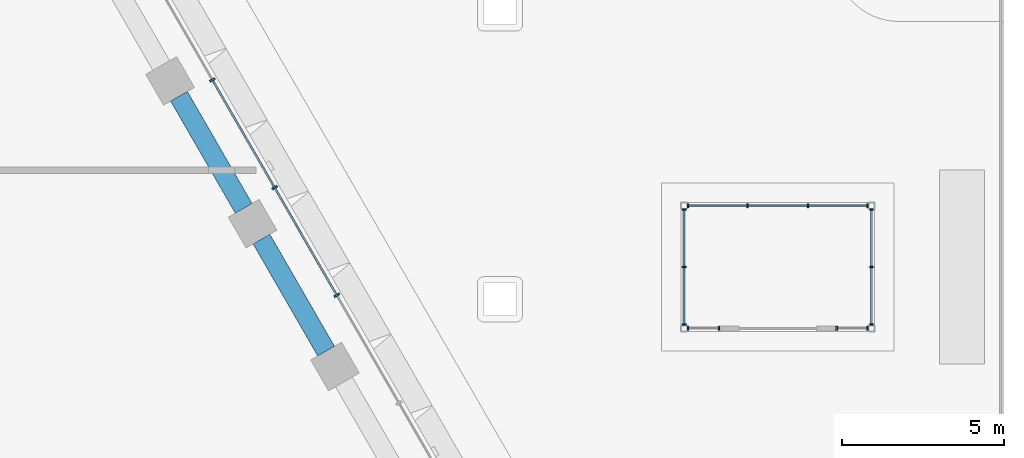
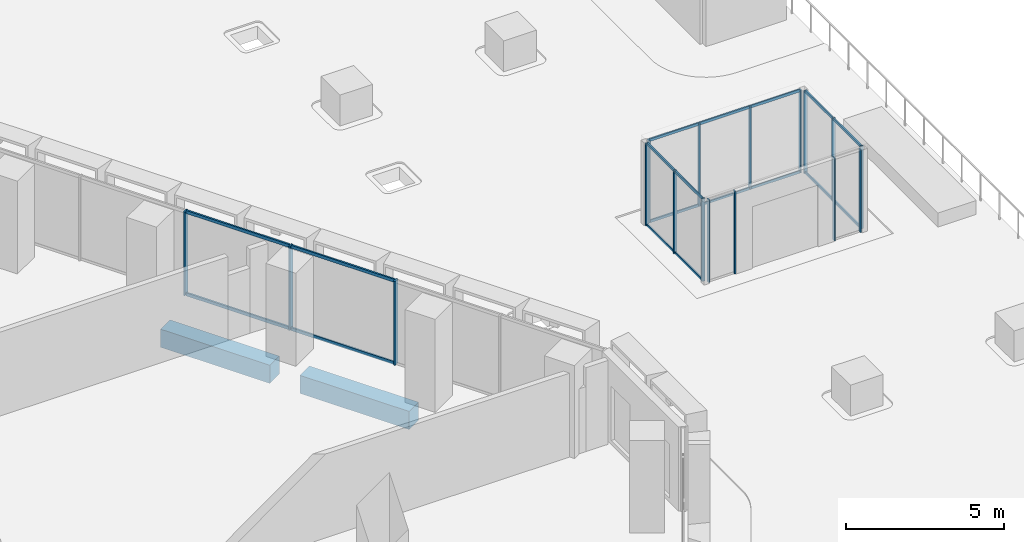
# One storey, part 12 of 38: 35 members, 2 beams, 6 elements without a shape of their own.
"""IFC4 building model written with IfcOpenShell, lengths in metres."""

from ifc_helpers import new_model, si_unit, direction, frame, origin, origin_2d, place, context, subcontext, project, spatial, rectangle, hollow_rectangle, extrude, material, material_profile, profile_set, type_object, element, aggregate, save


model = new_model("IFC4")

# Units and contexts
model_context = context("Model", 3, precision=1e-05, world=origin(), true_north=direction((0.0, 1.0)))
body_context = subcontext(model_context, "Body", "Model", "MODEL_VIEW")
ifc_project = project(units=[si_unit("LENGTHUNIT", "METRE"), si_unit("AREAUNIT", "SQUARE_METRE"), si_unit("VOLUMEUNIT", "CUBIC_METRE"), si_unit("PLANEANGLEUNIT", "RADIAN"), si_unit("MASSUNIT", "GRAM", prefix="KILO")], contexts=[model_context])

# Site, building, storey
site_placement = place(None, origin())
site = spatial("IfcSite", under=ifc_project, at=site_placement, CompositionType="ELEMENT")
building_placement = place(site_placement, origin())
building = spatial("IfcBuilding", under=site, at=building_placement, Name="Beryl Residences", CompositionType="ELEMENT")
storey_placement = place(building_placement, frame((0.0, 0.0, 9.0)))
storey = spatial("IfcBuildingStorey", under=building, at=storey_placement, Name="L02", CompositionType="ELEMENT", Elevation=9.0)

# Curtain wall, members
ifc_material_1 = material(Name="Aluminium and clear glass", Category="aluminium")
curtain_wall_type_1 = type_object("IfcCurtainWallType", Name="CW2 amenity glazing glazed wall", PredefinedType="NOTDEFINED", material=ifc_material_1)
curtain_wall_1_placement = place(storey_placement, origin())
curtain_wall_1 = element("IfcCurtainWall", 1, at=curtain_wall_1_placement, inside=storey, type_object=curtain_wall_type_1, Name="CW2 L02 NE", PredefinedType="NOTDEFINED")
ifc_material_2 = material(Name="Aluminium", Category="aluminium")
ifc_material_profile_1 = material_profile(ifc_material_2, rectangle(XDim=0.06005859375, YDim=0.179931640625, at=origin_2d()))
ifc_profile_set_1 = profile_set([ifc_material_profile_1], Name="Aluminium")
member_type_1 = type_object("IfcMemberType", Name="CW2-M mullion 60 x 180 mm", PredefinedType="MULLION", material=ifc_profile_set_1)
member_1_placement = place(storey_placement, frame((27.351318359375, 9.125732421875, 0.0), z_axis=(0.0, 0.0, 1.0), x_axis=(-0.500011643322, 0.866018681405, 0.0)))
member_1 = element("IfcMember", 2, at=member_1_placement, type_object=member_type_1, Name="CW2 mullion 3", PredefinedType="MULLION", context=body_context, shape_type="SweptSolid", body=[
    extrude(rectangle(XDim=0.06005859375, YDim=0.179931640625, at=origin_2d()), origin(), (0.0, 0.0, 1.0), 3.25),
])
member_2_placement = place(storey_placement, frame((25.42724609375, 12.45849609375, 0.0), z_axis=(0.0, 0.0, 1.0), x_axis=(-0.500011643322, 0.866018681405, 0.0)))
member_2 = element("IfcMember", 3, at=member_2_placement, type_object=member_type_1, Name="CW2 mullion 4", PredefinedType="MULLION", context=body_context, shape_type="SweptSolid", body=[
    extrude(rectangle(XDim=0.06005859375, YDim=0.179931640625, at=origin_2d()), origin(), (0.0, 0.0, 1.0), 3.25),
])
member_3_placement = place(storey_placement, frame((23.5029296875, 15.79150390625, 0.0), z_axis=(0.0, 0.0, 1.0), x_axis=(-0.500011643322, 0.866018681405, 0.0)))
member_3 = element("IfcMember", 4, at=member_3_placement, type_object=member_type_1, Name="CW2 mullion 5", PredefinedType="MULLION", context=body_context, shape_type="SweptSolid", body=[
    extrude(rectangle(XDim=0.06005859375, YDim=0.179931640625, at=origin_2d()), origin(), (0.0, 0.0, 1.0), 3.25),
])
ifc_material_3 = material(Name="Aluminium", Category="aluminium")
ifc_material_profile_2 = material_profile(ifc_material_3, hollow_rectangle(XDim=0.06005859375, YDim=0.1201171875, WallThickness=0.00390625, at=origin_2d()))
ifc_profile_set_2 = profile_set([ifc_material_profile_2], Name="Aluminium")
member_type_2 = type_object("IfcMemberType", Name="CW2-T transom 60 x 120 mm", PredefinedType="USERDEFINED", material=ifc_profile_set_2)
member_4_placement = place(storey_placement, frame((27.33642578125, 9.151611328125, 0.030029296875), z_axis=(-0.499999503755, 0.866025690291, 0.0), x_axis=(-0.866025690291, -0.499999503755, 0.0)))
member_4 = element("IfcMember", 5, at=member_4_placement, type_object=member_type_2, Name="CW2 transom 3.1", ObjectType="TRANSOM", PredefinedType="USERDEFINED", context=body_context, shape_type="SweptSolid", body=[
    extrude(hollow_rectangle(XDim=0.06005859375, YDim=0.1201171875, WallThickness=0.00390625, at=origin_2d()), origin(), (0.0, 0.0, 1.0), 3.78857421875),
])
member_5_placement = place(storey_placement, frame((27.33642578125, 9.151611328125, 3.219970703125), z_axis=(-0.499999503755, 0.866025690291, 0.0), x_axis=(-0.866025690291, -0.499999503755, 0.0)))
member_5 = element("IfcMember", 6, at=member_5_placement, type_object=member_type_2, Name="CW2 transom 3.2", ObjectType="TRANSOM", PredefinedType="USERDEFINED", context=body_context, shape_type="SweptSolid", body=[
    extrude(hollow_rectangle(XDim=0.06005859375, YDim=0.1201171875, WallThickness=0.00390625, at=origin_2d()), origin(), (0.0, 0.0, 1.0), 3.78857421875),
])
member_6_placement = place(storey_placement, frame((25.412109375, 12.484619140625, 0.030029296875), z_axis=(-0.500027408906, 0.866009578667, 0.0), x_axis=(-0.866009578667, -0.500027408906, 0.0)))
member_6 = element("IfcMember", 7, at=member_6_placement, type_object=member_type_2, Name="CW2 transom 4.1", ObjectType="TRANSOM", PredefinedType="USERDEFINED", context=body_context, shape_type="SweptSolid", body=[
    extrude(hollow_rectangle(XDim=0.06005859375, YDim=0.1201171875, WallThickness=0.00390625, at=origin_2d()), origin(), (0.0, 0.0, 1.0), 3.788330078125),
])
member_7_placement = place(storey_placement, frame((25.412109375, 12.484619140625, 3.219970703125), z_axis=(-0.500027408906, 0.866009578667, 0.0), x_axis=(-0.866009578667, -0.500027408906, 0.0)))
member_7 = element("IfcMember", 8, at=member_7_placement, type_object=member_type_2, Name="CW2 transom 4.2", ObjectType="TRANSOM", PredefinedType="USERDEFINED", context=body_context, shape_type="SweptSolid", body=[
    extrude(hollow_rectangle(XDim=0.06005859375, YDim=0.1201171875, WallThickness=0.00390625, at=origin_2d()), origin(), (0.0, 0.0, 1.0), 3.788330078125),
])
aggregate(curtain_wall_1, [member_1, member_2, member_3, member_4, member_5, member_6, member_7])

ifc_material_4 = material(Name="Aluminium and clear glass", Category="aluminium")
curtain_wall_type_2 = type_object("IfcCurtainWallType", Name="CW6 garden pavilion glazing glazed wall", PredefinedType="NOTDEFINED", material=ifc_material_4)
curtain_wall_2_placement = place(storey_placement, origin())
curtain_wall_2 = element("IfcCurtainWall", 9, at=curtain_wall_2_placement, inside=storey, type_object=curtain_wall_type_2, Name="CW6 pavilion 2 s0", PredefinedType="NOTDEFINED")
ifc_material_5 = material(Name="Aluminium", Category="aluminium")
ifc_material_profile_3 = material_profile(ifc_material_5, rectangle(XDim=0.050048828125, YDim=0.1201171875, at=origin_2d()))
ifc_profile_set_3 = profile_set([ifc_material_profile_3], Name="Aluminium")
member_type_3 = type_object("IfcMemberType", Name="CW6-M mullion 50 x 120 mm", PredefinedType="MULLION", material=ifc_profile_set_3)
member_8_placement = place(storey_placement, frame((38.22509765625, 8.10009765625, 0.0), z_axis=(0.0, 0.0, 1.0), x_axis=(1.0, 0.0, 0.0)))
member_8 = element("IfcMember", 10, at=member_8_placement, type_object=member_type_3, Name="CW6 mullion 1", PredefinedType="MULLION", context=body_context, shape_type="SweptSolid", body=[
    extrude(rectangle(XDim=0.050048828125, YDim=0.1201171875, at=origin_2d()), origin(), (0.0, 0.0, 1.0), 3.199951171875),
])
member_9_placement = place(storey_placement, frame((39.175048828125, 8.10009765625, 0.0), z_axis=(0.0, 0.0, 1.0), x_axis=(1.0, 0.0, 0.0)))
member_9 = element("IfcMember", 11, at=member_9_placement, type_object=member_type_3, Name="CW6 mullion 2", PredefinedType="MULLION", context=body_context, shape_type="SweptSolid", body=[
    extrude(rectangle(XDim=0.050048828125, YDim=0.1201171875, at=origin_2d()), origin(), (0.0, 0.0, 1.0), 3.199951171875),
])
aggregate(curtain_wall_2, [member_8, member_9])

curtain_wall_3_placement = place(storey_placement, origin())
curtain_wall_3 = element("IfcCurtainWall", 12, at=curtain_wall_3_placement, inside=storey, type_object=curtain_wall_type_2, Name="CW6 pavilion 2 s2", PredefinedType="NOTDEFINED")
member_10_placement = place(storey_placement, frame((42.824951171875, 8.10009765625, 0.0), z_axis=(0.0, 0.0, 1.0), x_axis=(1.0, 0.0, 0.0)))
member_10 = element("IfcMember", 13, at=member_10_placement, type_object=member_type_3, Name="CW6 mullion 1", PredefinedType="MULLION", context=body_context, shape_type="SweptSolid", body=[
    extrude(rectangle(XDim=0.050048828125, YDim=0.1201171875, at=origin_2d()), origin(), (0.0, 0.0, 1.0), 3.199951171875),
])
member_11_placement = place(storey_placement, frame((43.77490234375, 8.10009765625, 0.0), z_axis=(0.0, 0.0, 1.0), x_axis=(1.0, 0.0, 0.0)))
member_11 = element("IfcMember", 14, at=member_11_placement, type_object=member_type_3, Name="CW6 mullion 2", PredefinedType="MULLION", context=body_context, shape_type="SweptSolid", body=[
    extrude(rectangle(XDim=0.050048828125, YDim=0.1201171875, at=origin_2d()), origin(), (0.0, 0.0, 1.0), 3.199951171875),
])
aggregate(curtain_wall_3, [member_10, member_11])

curtain_wall_4_placement = place(storey_placement, origin())
curtain_wall_4 = element("IfcCurtainWall", 15, at=curtain_wall_4_placement, inside=storey, type_object=curtain_wall_type_2, Name="CW6 pavilion 2 e", PredefinedType="NOTDEFINED")
member_12_placement = place(storey_placement, frame((43.89990234375, 8.22509765625, 0.0), z_axis=(0.0, 0.0, 1.0), x_axis=(0.0, 1.0, 0.0)))
member_12 = element("IfcMember", 16, at=member_12_placement, type_object=member_type_3, Name="CW6 mullion 1", PredefinedType="MULLION", context=body_context, shape_type="SweptSolid", body=[
    extrude(rectangle(XDim=0.050048828125, YDim=0.1201171875, at=origin_2d()), origin(), (0.0, 0.0, 1.0), 3.199951171875),
])
member_13_placement = place(storey_placement, frame((43.89990234375, 10.0, 0.0), z_axis=(0.0, 0.0, 1.0), x_axis=(0.0, 1.0, 0.0)))
member_13 = element("IfcMember", 17, at=member_13_placement, type_object=member_type_3, Name="CW6 mullion 2", PredefinedType="MULLION", context=body_context, shape_type="SweptSolid", body=[
    extrude(rectangle(XDim=0.050048828125, YDim=0.1201171875, at=origin_2d()), origin(), (0.0, 0.0, 1.0), 3.199951171875),
])
member_14_placement = place(storey_placement, frame((43.89990234375, 11.77490234375, 0.0), z_axis=(0.0, 0.0, 1.0), x_axis=(0.0, 1.0, 0.0)))
member_14 = element("IfcMember", 18, at=member_14_placement, type_object=member_type_3, Name="CW6 mullion 3", PredefinedType="MULLION", context=body_context, shape_type="SweptSolid", body=[
    extrude(rectangle(XDim=0.050048828125, YDim=0.1201171875, at=origin_2d()), origin(), (0.0, 0.0, 1.0), 3.199951171875),
])

curtain_wall_5_placement = place(storey_placement, origin())
curtain_wall_5 = element("IfcCurtainWall", 19, at=curtain_wall_5_placement, inside=storey, type_object=curtain_wall_type_2, Name="CW6 pavilion 2 n", PredefinedType="NOTDEFINED")
member_15_placement = place(storey_placement, frame((43.77490234375, 11.89990234375, 0.0), z_axis=(0.0, 0.0, 1.0), x_axis=(-1.0, 0.0, 0.0)))
member_15 = element("IfcMember", 20, at=member_15_placement, type_object=member_type_3, Name="CW6 mullion 1", PredefinedType="MULLION", context=body_context, shape_type="SweptSolid", body=[
    extrude(rectangle(XDim=0.050048828125, YDim=0.1201171875, at=origin_2d()), origin(), (0.0, 0.0, 1.0), 3.199951171875),
])
member_16_placement = place(storey_placement, frame((41.933349609375, 11.89990234375, 0.0), z_axis=(0.0, 0.0, 1.0), x_axis=(-1.0, 0.0, 0.0)))
member_16 = element("IfcMember", 21, at=member_16_placement, type_object=member_type_3, Name="CW6 mullion 2", PredefinedType="MULLION", context=body_context, shape_type="SweptSolid", body=[
    extrude(rectangle(XDim=0.050048828125, YDim=0.1201171875, at=origin_2d()), origin(), (0.0, 0.0, 1.0), 3.199951171875),
])
member_17_placement = place(storey_placement, frame((40.066650390625, 11.89990234375, 0.0), z_axis=(0.0, 0.0, 1.0), x_axis=(-1.0, 0.0, 0.0)))
member_17 = element("IfcMember", 22, at=member_17_placement, type_object=member_type_3, Name="CW6 mullion 3", PredefinedType="MULLION", context=body_context, shape_type="SweptSolid", body=[
    extrude(rectangle(XDim=0.050048828125, YDim=0.1201171875, at=origin_2d()), origin(), (0.0, 0.0, 1.0), 3.199951171875),
])
member_18_placement = place(storey_placement, frame((38.22509765625, 11.89990234375, 0.0), z_axis=(0.0, 0.0, 1.0), x_axis=(-1.0, 0.0, 0.0)))
member_18 = element("IfcMember", 23, at=member_18_placement, type_object=member_type_3, Name="CW6 mullion 4", PredefinedType="MULLION", context=body_context, shape_type="SweptSolid", body=[
    extrude(rectangle(XDim=0.050048828125, YDim=0.1201171875, at=origin_2d()), origin(), (0.0, 0.0, 1.0), 3.199951171875),
])

curtain_wall_6_placement = place(storey_placement, origin())
curtain_wall_6 = element("IfcCurtainWall", 24, at=curtain_wall_6_placement, inside=storey, type_object=curtain_wall_type_2, Name="CW6 pavilion 2 w", PredefinedType="NOTDEFINED")
member_19_placement = place(storey_placement, frame((38.10009765625, 11.77490234375, 0.0), z_axis=(0.0, 0.0, 1.0), x_axis=(0.0, -1.0, 0.0)))
member_19 = element("IfcMember", 25, at=member_19_placement, type_object=member_type_3, Name="CW6 mullion 1", PredefinedType="MULLION", context=body_context, shape_type="SweptSolid", body=[
    extrude(rectangle(XDim=0.050048828125, YDim=0.1201171875, at=origin_2d()), origin(), (0.0, 0.0, 1.0), 3.199951171875),
])
member_20_placement = place(storey_placement, frame((38.10009765625, 10.0, 0.0), z_axis=(0.0, 0.0, 1.0), x_axis=(0.0, -1.0, 0.0)))
member_20 = element("IfcMember", 26, at=member_20_placement, type_object=member_type_3, Name="CW6 mullion 2", PredefinedType="MULLION", context=body_context, shape_type="SweptSolid", body=[
    extrude(rectangle(XDim=0.050048828125, YDim=0.1201171875, at=origin_2d()), origin(), (0.0, 0.0, 1.0), 3.199951171875),
])
member_21_placement = place(storey_placement, frame((38.10009765625, 8.22509765625, 0.0), z_axis=(0.0, 0.0, 1.0), x_axis=(0.0, -1.0, 0.0)))
member_21 = element("IfcMember", 27, at=member_21_placement, type_object=member_type_3, Name="CW6 mullion 3", PredefinedType="MULLION", context=body_context, shape_type="SweptSolid", body=[
    extrude(rectangle(XDim=0.050048828125, YDim=0.1201171875, at=origin_2d()), origin(), (0.0, 0.0, 1.0), 3.199951171875),
])

# Member
ifc_material_6 = material(Name="Aluminium", Category="aluminium")
ifc_material_profile_4 = material_profile(ifc_material_6, hollow_rectangle(XDim=0.050048828125, YDim=0.10009765625, WallThickness=0.00390625, at=origin_2d()))
ifc_profile_set_4 = profile_set([ifc_material_profile_4], Name="Aluminium")
member_type_4 = type_object("IfcMemberType", Name="CW6-T transom 50 x 100 mm", PredefinedType="USERDEFINED", material=ifc_profile_set_4)
member_22_placement = place(storey_placement, frame((43.89990234375, 8.25, 0.02490234375), z_axis=(0.0, 1.0, 0.0), x_axis=(-1.0, 0.0, 0.0)))
member_22 = element("IfcMember", 28, at=member_22_placement, type_object=member_type_4, Name="CW6 transom 1.1", ObjectType="TRANSOM", PredefinedType="USERDEFINED", context=body_context, shape_type="SweptSolid", body=[
    extrude(hollow_rectangle(XDim=0.050048828125, YDim=0.10009765625, WallThickness=0.00390625, at=origin_2d()), origin(), (0.0, 0.0, 1.0), 1.72509765625),
])

member_23_placement = place(storey_placement, frame((43.89990234375, 8.25, 3.175048828125), z_axis=(0.0, 1.0, 0.0), x_axis=(-1.0, 0.0, 0.0)))
member_23 = element("IfcMember", 29, at=member_23_placement, type_object=member_type_4, Name="CW6 transom 1.2", ObjectType="TRANSOM", PredefinedType="USERDEFINED", context=body_context, shape_type="SweptSolid", body=[
    extrude(hollow_rectangle(XDim=0.050048828125, YDim=0.10009765625, WallThickness=0.00390625, at=origin_2d()), origin(), (0.0, 0.0, 1.0), 1.72509765625),
])

member_24_placement = place(storey_placement, frame((43.89990234375, 10.02490234375, 0.02490234375), z_axis=(0.0, 1.0, 0.0), x_axis=(-1.0, 0.0, 0.0)))
member_24 = element("IfcMember", 30, at=member_24_placement, type_object=member_type_4, Name="CW6 transom 2.1", ObjectType="TRANSOM", PredefinedType="USERDEFINED", context=body_context, shape_type="SweptSolid", body=[
    extrude(hollow_rectangle(XDim=0.050048828125, YDim=0.10009765625, WallThickness=0.00390625, at=origin_2d()), origin(), (0.0, 0.0, 1.0), 1.72509765625),
])

member_25_placement = place(storey_placement, frame((43.89990234375, 10.02490234375, 3.175048828125), z_axis=(0.0, 1.0, 0.0), x_axis=(-1.0, 0.0, 0.0)))
member_25 = element("IfcMember", 31, at=member_25_placement, type_object=member_type_4, Name="CW6 transom 2.2", ObjectType="TRANSOM", PredefinedType="USERDEFINED", context=body_context, shape_type="SweptSolid", body=[
    extrude(hollow_rectangle(XDim=0.050048828125, YDim=0.10009765625, WallThickness=0.00390625, at=origin_2d()), origin(), (0.0, 0.0, 1.0), 1.72509765625),
])

aggregate(curtain_wall_4, [member_12, member_13, member_14, member_22, member_23, member_24, member_25])

member_26_placement = place(storey_placement, frame((43.75, 11.89990234375, 0.02490234375), z_axis=(-1.0, 0.0, 0.0), x_axis=(0.0, -1.0, 0.0)))
member_26 = element("IfcMember", 32, at=member_26_placement, type_object=member_type_4, Name="CW6 transom 1.1", ObjectType="TRANSOM", PredefinedType="USERDEFINED", context=body_context, shape_type="SweptSolid", body=[
    extrude(hollow_rectangle(XDim=0.050048828125, YDim=0.10009765625, WallThickness=0.00390625, at=origin_2d()), origin(), (0.0, 0.0, 1.0), 1.791748046875),
])

member_27_placement = place(storey_placement, frame((43.75, 11.89990234375, 3.175048828125), z_axis=(-1.0, 0.0, 0.0), x_axis=(0.0, -1.0, 0.0)))
member_27 = element("IfcMember", 33, at=member_27_placement, type_object=member_type_4, Name="CW6 transom 1.2", ObjectType="TRANSOM", PredefinedType="USERDEFINED", context=body_context, shape_type="SweptSolid", body=[
    extrude(hollow_rectangle(XDim=0.050048828125, YDim=0.10009765625, WallThickness=0.00390625, at=origin_2d()), origin(), (0.0, 0.0, 1.0), 1.791748046875),
])

member_28_placement = place(storey_placement, frame((41.908447265625, 11.89990234375, 0.02490234375), z_axis=(-1.0, 0.0, 0.0), x_axis=(0.0, -1.0, 0.0)))
member_28 = element("IfcMember", 34, at=member_28_placement, type_object=member_type_4, Name="CW6 transom 2.1", ObjectType="TRANSOM", PredefinedType="USERDEFINED", context=body_context, shape_type="SweptSolid", body=[
    extrude(hollow_rectangle(XDim=0.050048828125, YDim=0.10009765625, WallThickness=0.00390625, at=origin_2d()), origin(), (0.0, 0.0, 1.0), 1.81689453125),
])

member_29_placement = place(storey_placement, frame((41.908447265625, 11.89990234375, 3.175048828125), z_axis=(-1.0, 0.0, 0.0), x_axis=(0.0, -1.0, 0.0)))
member_29 = element("IfcMember", 35, at=member_29_placement, type_object=member_type_4, Name="CW6 transom 2.2", ObjectType="TRANSOM", PredefinedType="USERDEFINED", context=body_context, shape_type="SweptSolid", body=[
    extrude(hollow_rectangle(XDim=0.050048828125, YDim=0.10009765625, WallThickness=0.00390625, at=origin_2d()), origin(), (0.0, 0.0, 1.0), 1.81689453125),
])

member_30_placement = place(storey_placement, frame((40.041748046875, 11.89990234375, 0.02490234375), z_axis=(-1.0, 0.0, 0.0), x_axis=(0.0, -1.0, 0.0)))
member_30 = element("IfcMember", 36, at=member_30_placement, type_object=member_type_4, Name="CW6 transom 3.1", ObjectType="TRANSOM", PredefinedType="USERDEFINED", context=body_context, shape_type="SweptSolid", body=[
    extrude(hollow_rectangle(XDim=0.050048828125, YDim=0.10009765625, WallThickness=0.00390625, at=origin_2d()), origin(), (0.0, 0.0, 1.0), 1.791748046875),
])

member_31_placement = place(storey_placement, frame((40.041748046875, 11.89990234375, 3.175048828125), z_axis=(-1.0, 0.0, 0.0), x_axis=(0.0, -1.0, 0.0)))
member_31 = element("IfcMember", 37, at=member_31_placement, type_object=member_type_4, Name="CW6 transom 3.2", ObjectType="TRANSOM", PredefinedType="USERDEFINED", context=body_context, shape_type="SweptSolid", body=[
    extrude(hollow_rectangle(XDim=0.050048828125, YDim=0.10009765625, WallThickness=0.00390625, at=origin_2d()), origin(), (0.0, 0.0, 1.0), 1.791748046875),
])

aggregate(curtain_wall_5, [member_15, member_16, member_17, member_18, member_26, member_27, member_28, member_29, member_30, member_31])

member_32_placement = place(storey_placement, frame((38.10009765625, 11.75, 0.02490234375), z_axis=(0.0, -1.0, 0.0), x_axis=(1.0, 0.0, 0.0)))
member_32 = element("IfcMember", 38, at=member_32_placement, type_object=member_type_4, Name="CW6 transom 1.1", ObjectType="TRANSOM", PredefinedType="USERDEFINED", context=body_context, shape_type="SweptSolid", body=[
    extrude(hollow_rectangle(XDim=0.050048828125, YDim=0.10009765625, WallThickness=0.00390625, at=origin_2d()), origin(), (0.0, 0.0, 1.0), 1.72509765625),
])

member_33_placement = place(storey_placement, frame((38.10009765625, 11.75, 3.175048828125), z_axis=(0.0, -1.0, 0.0), x_axis=(1.0, 0.0, 0.0)))
member_33 = element("IfcMember", 39, at=member_33_placement, type_object=member_type_4, Name="CW6 transom 1.2", ObjectType="TRANSOM", PredefinedType="USERDEFINED", context=body_context, shape_type="SweptSolid", body=[
    extrude(hollow_rectangle(XDim=0.050048828125, YDim=0.10009765625, WallThickness=0.00390625, at=origin_2d()), origin(), (0.0, 0.0, 1.0), 1.72509765625),
])

member_34_placement = place(storey_placement, frame((38.10009765625, 9.97509765625, 0.02490234375), z_axis=(0.0, -1.0, 0.0), x_axis=(1.0, 0.0, 0.0)))
member_34 = element("IfcMember", 40, at=member_34_placement, type_object=member_type_4, Name="CW6 transom 2.1", ObjectType="TRANSOM", PredefinedType="USERDEFINED", context=body_context, shape_type="SweptSolid", body=[
    extrude(hollow_rectangle(XDim=0.050048828125, YDim=0.10009765625, WallThickness=0.00390625, at=origin_2d()), origin(), (0.0, 0.0, 1.0), 1.72509765625),
])

member_35_placement = place(storey_placement, frame((38.10009765625, 9.97509765625, 3.175048828125), z_axis=(0.0, -1.0, 0.0), x_axis=(1.0, 0.0, 0.0)))
member_35 = element("IfcMember", 41, at=member_35_placement, type_object=member_type_4, Name="CW6 transom 2.2", ObjectType="TRANSOM", PredefinedType="USERDEFINED", context=body_context, shape_type="SweptSolid", body=[
    extrude(hollow_rectangle(XDim=0.050048828125, YDim=0.10009765625, WallThickness=0.00390625, at=origin_2d()), origin(), (0.0, 0.0, 1.0), 1.72509765625),
])

aggregate(curtain_wall_6, [member_19, member_20, member_21, member_32, member_33, member_34, member_35])

# Beams
ifc_material_7 = material(Name="Concrete C80/95", Category="concrete")
ifc_material_profile_5 = material_profile(ifc_material_7, rectangle(XDim=0.60009765625, YDim=0.699951171875, at=origin_2d()))
ifc_profile_set_5 = profile_set([ifc_material_profile_5], Name="Concrete C80/95")
beam_type = type_object("IfcBeamType", Name="SB1 spandrel beam 600 x 700 C80/95", PredefinedType="SPANDREL", material=ifc_profile_set_5)
for number, where, z_axis, x_axis, name in (
    (42, (27.02197265625, 7.39697265625, -0.85009765625), (-0.499942357345, 0.866058681229, 0.0), (-0.866058681229, -0.499942357345, 0.0), "SB1 L02 NE-1"),
    (43, (24.469970703125, 11.81689453125, -0.85009765625), (-0.499942357345, 0.866058681229, 0.0), (-0.866058681229, -0.499942357345, 0.0), "SB1 L02 NE-2"),
):
    element("IfcBeam", number, at=place(storey_placement, frame(where, z_axis=z_axis, x_axis=x_axis)), inside=storey, type_object=beam_type, Name=name, PredefinedType="SPANDREL", context=body_context, shape_type="SweptSolid", body=[
        extrude(rectangle(XDim=0.60009765625, YDim=0.699951171875, at=origin_2d()), origin(), (0.0, 0.0, 1.0), 4.00439453125),
    ])

save(model, "model.ifc")
